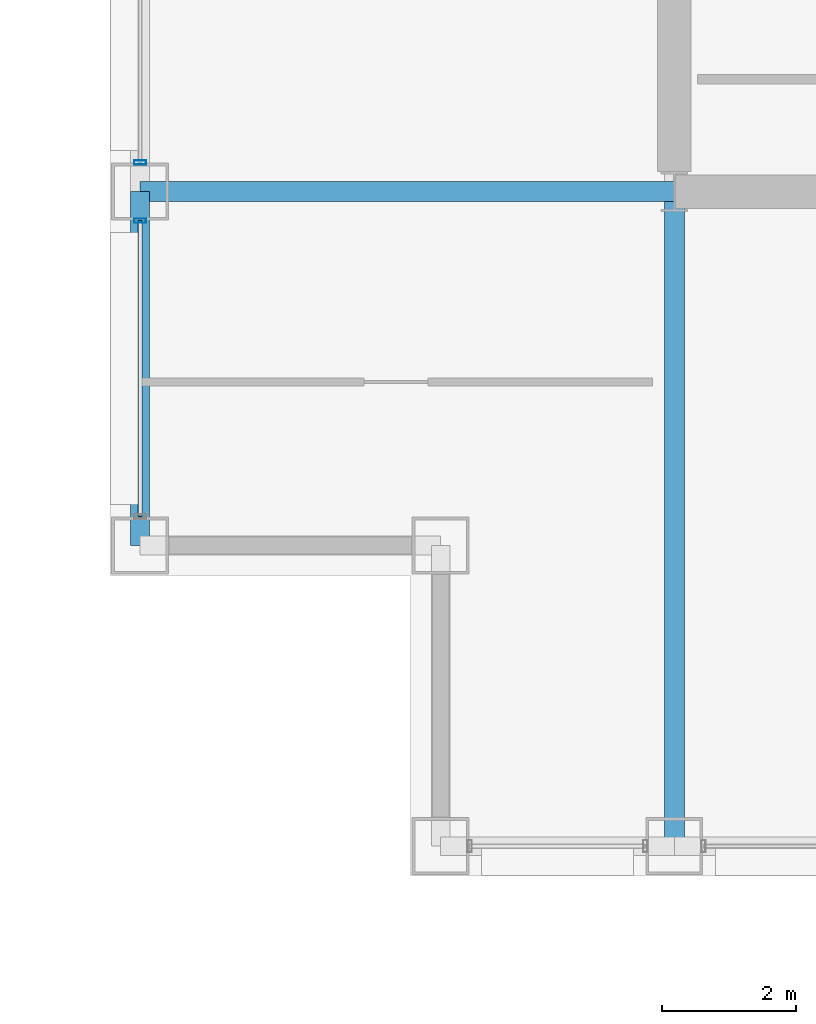
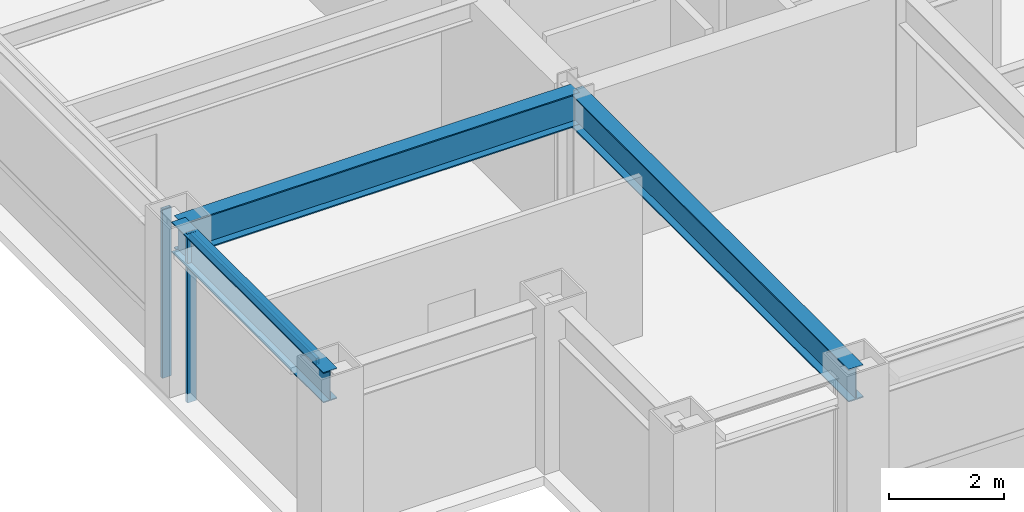
# One storey, part 3 of 31: 3 beams, 3 members, 2 elements without a shape of their own.
"""IFC4 building model written with IfcOpenShell, lengths in metres."""

from ifc_helpers import new_model, si_unit, direction, frame, origin, origin_2d, place, context, subcontext, project, spatial, hollow_rectangle, i_section, extrude, material, layer, layer_set, material_profile, profile_set, type_object, element, aggregate, save


model = new_model("IFC4")

# Units and contexts
model_context = context("Model", 3, precision=1e-05, world=origin(), true_north=direction((0.0, 1.0)))
body_context = subcontext(model_context, "Body", "Model", "MODEL_VIEW")
ifc_project = project(units=[si_unit("LENGTHUNIT", "METRE"), si_unit("AREAUNIT", "SQUARE_METRE"), si_unit("VOLUMEUNIT", "CUBIC_METRE"), si_unit("PLANEANGLEUNIT", "RADIAN"), si_unit("MASSUNIT", "GRAM", prefix="KILO")], contexts=[model_context])

# Site, building, storey
site_placement = place(None, origin())
site = spatial("IfcSite", under=ifc_project, at=site_placement, CompositionType="ELEMENT")
building_placement = place(site_placement, origin())
building = spatial("IfcBuilding", under=site, at=building_placement, Name="Brelmoor Portico Tower", CompositionType="ELEMENT")
storey_placement = place(building_placement, frame((0.0, 0.0, 113.39990234375)))
storey = spatial("IfcBuildingStorey", under=building, at=storey_placement, Name="L29", CompositionType="ELEMENT", Elevation=113.39990234375)

# Beams
ifc_material_1 = material(Name="Steel Q355B", Category="steel")
ifc_material_profile_1 = material_profile(ifc_material_1, i_section(OverallWidth=0.300048828125, OverallDepth=0.699951171875, WebThickness=0.012939453125, FlangeThickness=0.02392578125, at=origin_2d()), Name="HN 700x300x13x24")
ifc_profile_set_1 = profile_set([ifc_material_profile_1], Name="Steel Q355B")
beam_type_1 = type_object("IfcBeamType", Name="BM-PG-700", PredefinedType="BEAM", material=ifc_profile_set_1)
beam_1_placement = place(storey_placement, frame((-14.550048828125, -19.550048828125, 3.050048828125), z_axis=(0.0, 1.0, 0.0), x_axis=(-1.0, 0.0, 0.0)))
element("IfcBeam", 1, at=beam_1_placement, inside=storey, type_object=beam_type_1, Name="L29 Primary Floor Girder PG-01", PredefinedType="BEAM", context=body_context, shape_type="SweptSolid", body=[
    extrude(i_section(OverallWidth=0.300048828125, OverallDepth=0.699951171875, WebThickness=0.012939453125, FlangeThickness=0.02392578125, at=origin_2d()), origin(), (0.0, 0.0, 1.0), 9.800048828125),
])
beam_2_placement = place(storey_placement, frame((-22.550048828125, -9.75, 3.050048828125), z_axis=(1.0, 0.0, 0.0), x_axis=(0.0, 1.0, 0.0)))
element("IfcBeam", 2, at=beam_2_placement, inside=storey, type_object=beam_type_1, Name="L29 Primary Floor Girder PG-14", PredefinedType="BEAM", context=body_context, shape_type="SweptSolid", body=[
    extrude(i_section(OverallWidth=0.300048828125, OverallDepth=0.699951171875, WebThickness=0.012939453125, FlangeThickness=0.02392578125, at=origin_2d()), origin(), (0.0, 0.0, 1.0), 8.0),
])
ifc_material_profile_2 = material_profile(ifc_material_1, i_section(OverallWidth=0.280029296875, OverallDepth=0.64990234375, WebThickness=0.012939453125, FlangeThickness=0.02197265625, at=origin_2d()), Name="HN 650x280x13x22")
ifc_profile_set_2 = profile_set([ifc_material_profile_2], Name="Steel Q355B")
beam_type_2 = type_object("IfcBeamType", Name="BM-SP-650", PredefinedType="SPANDREL", material=ifc_profile_set_2)
beam_3_placement = place(storey_placement, frame((-22.550048828125, -15.050048828125, 3.0751953125), z_axis=(0.0, 1.0, 0.0), x_axis=(-1.0, 0.0, 0.0)))
element("IfcBeam", 3, at=beam_3_placement, inside=storey, type_object=beam_type_2, Name="L29 Perimeter Spandrel Beam SP-15", PredefinedType="SPANDREL", context=body_context, shape_type="SweptSolid", body=[
    extrude(i_section(OverallWidth=0.280029296875, OverallDepth=0.64990234375, WebThickness=0.012939453125, FlangeThickness=0.02197265625, at=origin_2d()), origin(), (0.0, 0.0, 1.0), 5.300048828125),
])

# Curtain wall, member
ifc_material_2 = material(Name="Anodised Aluminium Alloy 6063-T6", Category="aluminium")
ifc_layer_1 = layer(ifc_material_2, 0.179931640625)
ifc_layer_set_1 = layer_set([ifc_layer_1], Name="Anodised Aluminium Alloy 6063-T6")
curtain_wall_type_1 = type_object("IfcCurtainWallType", Name="CW-TOWER-Z2-XB", PredefinedType="NOTDEFINED", material=ifc_layer_set_1)
curtain_wall_1_placement = place(storey_placement, origin())
curtain_wall_1 = element("IfcCurtainWall", 4, at=curtain_wall_1_placement, inside=storey, type_object=curtain_wall_type_1, Name="L29 Curtain Wall CW-L29-3L-1", PredefinedType="NOTDEFINED")
ifc_material_profile_3 = material_profile(ifc_material_2, hollow_rectangle(XDim=0.06494140625, YDim=0.179931640625, WallThickness=0.00390625, at=origin_2d()), Name="ALU MULLION 65x180")
ifc_profile_set_3 = profile_set([ifc_material_profile_3], Name="Anodised Aluminium Alloy 6063-T6")
member_type_1 = type_object("IfcMemberType", Name="MB-CW-MULL-180", PredefinedType="MULLION", material=ifc_profile_set_3)
member_1_placement = place(storey_placement, frame((-22.550048828125, -10.18505859375, -0.199951171875), z_axis=(0.0, 0.0, 1.0), x_axis=(0.0, 1.0, 0.0)))
member_1 = element("IfcMember", 5, at=member_1_placement, type_object=member_type_1, Name="CW-L29-3L-1 Mullion 01", PredefinedType="MULLION", context=body_context, shape_type="SweptSolid", body=[
    extrude(hollow_rectangle(XDim=0.06494140625, YDim=0.179931640625, WallThickness=0.00390625, at=origin_2d()), origin(), (0.0, 0.0, 1.0), 3.60009765625),
])

ifc_layer_2 = layer(ifc_material_2, 0.179931640625)
ifc_layer_set_2 = layer_set([ifc_layer_2], Name="Anodised Aluminium Alloy 6063-T6")
curtain_wall_type_2 = type_object("IfcCurtainWallType", Name="CW-TOWER-Z2", PredefinedType="NOTDEFINED", material=ifc_layer_set_2)
curtain_wall_2_placement = place(storey_placement, origin())
curtain_wall_2 = element("IfcCurtainWall", 6, at=curtain_wall_2_placement, inside=storey, type_object=curtain_wall_type_2, Name="L29 Curtain Wall CW-L29-3L-2", PredefinedType="NOTDEFINED")
member_2_placement = place(storey_placement, frame((-22.550048828125, -9.31494140625, -0.199951171875), z_axis=(0.0, 0.0, 1.0), x_axis=(0.0, 1.0, 0.0)))
member_2 = element("IfcMember", 7, at=member_2_placement, type_object=member_type_1, Name="CW-L29-3L-2 Mullion 00", PredefinedType="MULLION", context=body_context, shape_type="SweptSolid", body=[
    extrude(hollow_rectangle(XDim=0.06494140625, YDim=0.179931640625, WallThickness=0.00390625, at=origin_2d()), origin(), (0.0, 0.0, 1.0), 3.60009765625),
])
aggregate(curtain_wall_2, [member_2])

# Member
ifc_material_profile_4 = material_profile(ifc_material_2, hollow_rectangle(XDim=0.06494140625, YDim=0.139892578125, WallThickness=0.00390625, at=origin_2d()), Name="ALU TRANSOM 65x140")
ifc_profile_set_4 = profile_set([ifc_material_profile_4], Name="Anodised Aluminium Alloy 6063-T6")
member_type_2 = type_object("IfcMemberType", Name="MB-CW-TRAN-140", PredefinedType="USERDEFINED", material=ifc_profile_set_4)
member_3_placement = place(storey_placement, frame((-22.550048828125, -14.614990234375, 3.330078125), z_axis=(0.0, 1.0, 0.0), x_axis=(-1.0, 0.0, 0.0)))
member_3 = element("IfcMember", 8, at=member_3_placement, type_object=member_type_2, Name="CW-L29-3L-1 Transom 1-00", ObjectType="TRANSOM", PredefinedType="USERDEFINED", context=body_context, shape_type="SweptSolid", body=[
    extrude(hollow_rectangle(XDim=0.06494140625, YDim=0.139892578125, WallThickness=0.00390625, at=origin_2d()), origin(), (0.0, 0.0, 1.0), 4.429931640625),
])

aggregate(curtain_wall_1, [member_1, member_3])

save(model, "model.ifc")
